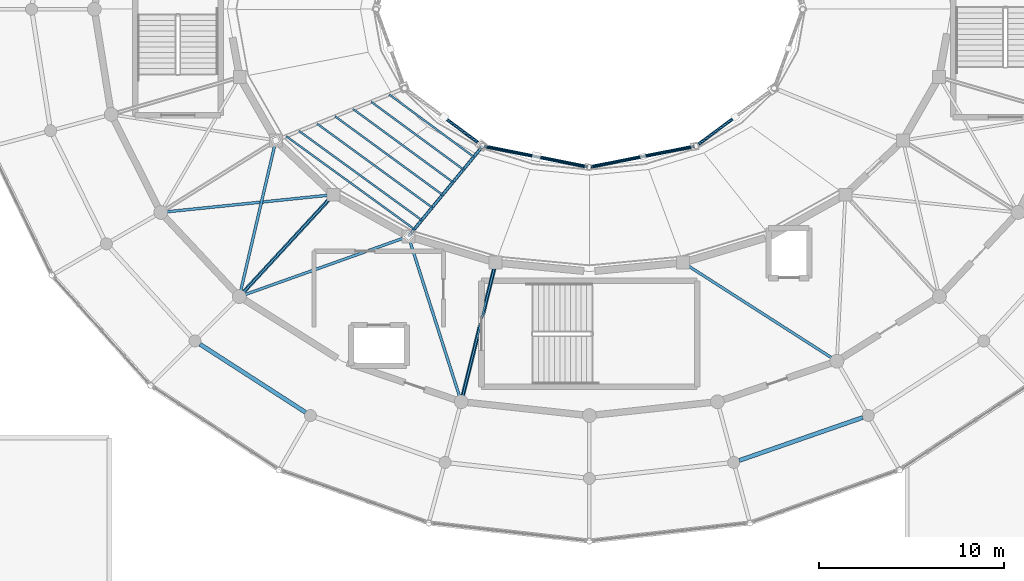
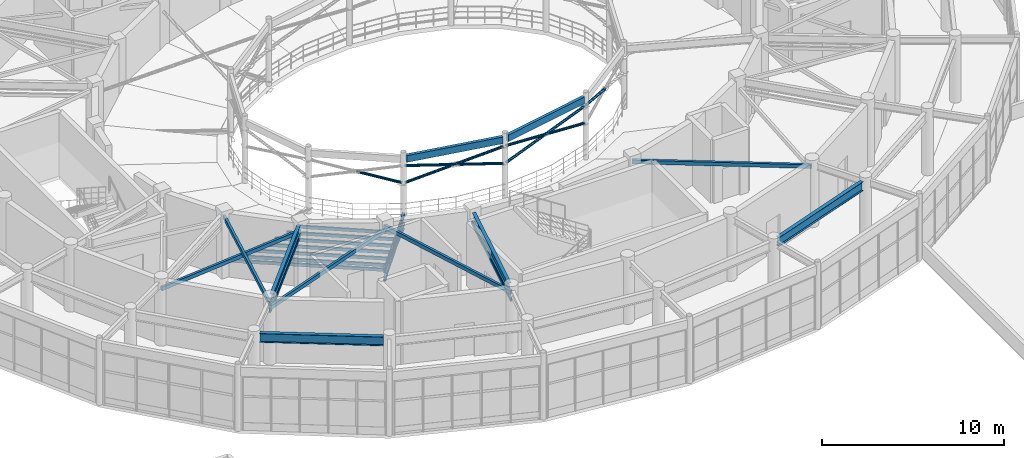
# One storey, part 42 of 112: 25 members, 7 beams.
"""IFC4 building model written with IfcOpenShell, lengths in metres."""

from ifc_helpers import new_model, si_unit, direction, frame, origin, origin_2d, place, context, subcontext, project, spatial, rectangle, hollow_rectangle, hollow_circle, i_section, extrude, material, material_profile, profile_set, type_object, element, save


model = new_model("IFC4")

# Units and contexts
model_context = context("Model", 3, precision=1e-05, world=origin(), true_north=direction((0.0, 1.0)))
body_context = subcontext(model_context, "Body", "Model", "MODEL_VIEW")
ifc_project = project(units=[si_unit("LENGTHUNIT", "METRE"), si_unit("AREAUNIT", "SQUARE_METRE"), si_unit("VOLUMEUNIT", "CUBIC_METRE"), si_unit("PLANEANGLEUNIT", "RADIAN"), si_unit("MASSUNIT", "GRAM", prefix="KILO")], contexts=[model_context])

# Site, building, storey
site_placement = place(None, origin())
site = spatial("IfcSite", under=ifc_project, at=site_placement, CompositionType="ELEMENT")
building_placement = place(site_placement, origin())
building = spatial("IfcBuilding", under=site, at=building_placement, Name="Cinderbank Siding Concert Hall", CompositionType="ELEMENT")
storey_placement = place(building_placement, frame((0.0, 0.0, 10.199951171875)))
storey = spatial("IfcBuildingStorey", under=building, at=storey_placement, Name="L03", CompositionType="ELEMENT", Elevation=10.199951171875)

# Beams
ifc_material_1 = material(Name="Structural steel AS/NZS 3679.1 Grade 350 (340 MPa)", Category="steel")
ifc_material_profile_1 = material_profile(ifc_material_1, i_section(OverallWidth=0.208984375, OverallDepth=0.532958984375, WebThickness=0.01025390625, FlangeThickness=0.015625, at=origin_2d()), Name="530UB92.4", Category="LoadBearing")
ifc_profile_set_1 = profile_set([ifc_material_profile_1], Name="Structural steel AS/NZS 3679.1 Grade 350 (340 MPa)")
beam_type_1 = type_object("IfcBeamType", Name="BM-UB530H 530UB92.4", PredefinedType="BEAM", material=ifc_profile_set_1)
beam_1_placement = place(storey_placement, frame((107.90869140625, 33.707763671875, 3.985595703125), z_axis=(-0.67829203735, -0.734792427879, 0.0), x_axis=(0.734792427879, -0.67829203735, 0.0)))
element("IfcBeam", 1, at=beam_1_placement, inside=storey, type_object=beam_type_1, Name="L03 Beam BM-UB530H #599", PredefinedType="BEAM", context=body_context, shape_type="SweptSolid", body=[
    extrude(i_section(OverallWidth=0.208984375, OverallDepth=0.532958984375, WebThickness=0.01025390625, FlangeThickness=0.015625, at=origin_2d()), origin(), (0.0, 0.0, 1.0), 6.797119140625),
])
beam_2_placement = place(storey_placement, frame((116.844970703125, 29.951904296875, 3.985595703125), z_axis=(-0.240115631411, -0.970744293598, 0.0), x_axis=(0.970744293598, -0.240115631411, 0.0)))
element("IfcBeam", 2, at=beam_2_placement, inside=storey, type_object=beam_type_1, Name="L03 Beam BM-UB530H #600", PredefinedType="BEAM", context=body_context, shape_type="SweptSolid", body=[
    extrude(i_section(OverallWidth=0.208984375, OverallDepth=0.532958984375, WebThickness=0.01025390625, FlangeThickness=0.015625, at=origin_2d()), origin(), (0.0, 0.0, 1.0), 7.05224609375),
])
ifc_material_profile_2 = material_profile(ifc_material_1, i_section(OverallWidth=0.22802734375, OverallDepth=0.60693359375, WebThickness=0.01123046875, FlangeThickness=0.017333984375, at=origin_2d()), Name="610UB113", Category="LoadBearing")
ifc_profile_set_2 = profile_set([ifc_material_profile_2], Name="Structural steel AS/NZS 3679.1 Grade 350 (340 MPa)")
beam_type_2 = type_object("IfcBeamType", Name="BM-UB610M 610UB113", PredefinedType="BEAM", material=ifc_profile_set_2)
beam_3_placement = place(storey_placement, frame((100.91162109375, 25.86767578125, 3.9384765625), z_axis=(0.840219727246, -0.542246078775, 0.0), x_axis=(0.542246078775, 0.840219727246, 0.0)))
element("IfcBeam", 3, at=beam_3_placement, inside=storey, type_object=beam_type_2, Name="L03 Beam BM-UB610M #560", PredefinedType="BEAM", context=body_context, shape_type="SweptSolid", body=[
    extrude(i_section(OverallWidth=0.22802734375, OverallDepth=0.60693359375, WebThickness=0.01123046875, FlangeThickness=0.017333984375, at=origin_2d()), origin(), (0.0, 0.0, 1.0), 6.810302734375),
])
beam_4_placement = place(storey_placement, frame((130.11572265625, 19.56982421875, 3.9384765625), z_axis=(0.944334299593, 0.328987432301, 0.0), x_axis=(-0.328987432301, 0.944334299593, 0.0)))
element("IfcBeam", 4, at=beam_4_placement, inside=storey, type_object=beam_type_2, Name="L03 Beam BM-UB610M #564", PredefinedType="BEAM", context=body_context, shape_type="SweptSolid", body=[
    extrude(i_section(OverallWidth=0.22802734375, OverallDepth=0.60693359375, WebThickness=0.01123046875, FlangeThickness=0.017333984375, at=origin_2d()), origin(), (0.0, 0.0, 1.0), 7.078857421875),
])

# Members
ifc_material_2 = material(Name="Structural steel hollow section AS/NZS 1163 Grade C350L0 (350 MPa)", Category="steel")
ifc_material_profile_3 = material_profile(ifc_material_2, hollow_circle(Radius=0.084228515625, WallThickness=0.007080078125, at=origin_2d()), Name="168.3x7.1CHS", Category="LoadBearing")
ifc_profile_set_3 = profile_set([ifc_material_profile_3], Name="Structural steel hollow section AS/NZS 1163 Grade C350L0 (350 MPa)")
member_type_1 = type_object("IfcMemberType", Name="BR-CHS168 168.3x7.1CHS Roof Truss", PredefinedType="BRACE", material=ifc_profile_set_3)
member_1_placement = place(storey_placement, frame((116.22509765625, 36.595458984375, 0.300048828125), z_axis=(-0.631768152068, -0.767992800615, 0.10514780186), x_axis=(0.772273819235, -0.635289814277, 0.0)))
element("IfcMember", 5, at=member_1_placement, inside=storey, type_object=member_type_1, Name="L03 Diagonal Brace BR-CHS168 #RKDG-BR-CHS168-L03-1954", PredefinedType="BRACE", context=body_context, shape_type="SweptSolid", body=[
    extrude(hollow_circle(Radius=0.084228515625, WallThickness=0.007080078125, at=origin_2d()), origin(), (0.0, 0.0, 1.0), 6.371337890625),
])
member_2_placement = place(storey_placement, frame((112.199951171875, 31.702392578125, 0.300048828125), z_axis=(0.632173529582, 0.768485587425, -0.0989268943), x_axis=(-0.772273819235, 0.635289814277, 0.0)))
element("IfcMember", 6, at=member_2_placement, inside=storey, type_object=member_type_1, Name="L03 Diagonal Brace BR-CHS168 #RKDG-BR-CHS168-L03-1955", PredefinedType="BRACE", context=body_context, shape_type="SweptSolid", body=[
    extrude(hollow_circle(Radius=0.084228515625, WallThickness=0.007080078125, at=origin_2d()), origin(), (0.0, 0.0, 1.0), 6.3671875),
])
member_3_placement = place(storey_placement, frame((116.16064453125, 36.64306640625, 2.400146484375), z_axis=(-0.784352777564, 0.580699234671, 0.218126383504), x_axis=(-0.595027173666, -0.803705582038, 0.0)))
element("IfcMember", 7, at=member_3_placement, inside=storey, type_object=member_type_1, Name="L03 Diagonal Brace BR-CHS168 #RKCR-BR-CHS168-L03-2089", PredefinedType="BRACE", context=body_context, shape_type="SweptSolid", body=[
    extrude(hollow_circle(Radius=0.084228515625, WallThickness=0.007080078125, at=origin_2d()), origin(), (0.0, 0.0, 1.0), 2.597900390625),
])
member_4_placement = place(storey_placement, frame((116.303466796875, 36.579833984375, 2.400146484375), z_axis=(0.962024071577, -0.190807781612, 0.195197531189), x_axis=(0.194550158365, 0.980892571019, 0.0)))
element("IfcMember", 8, at=member_4_placement, inside=storey, type_object=member_type_1, Name="L03 Diagonal Brace BR-CHS168 #RKCR-BR-CHS168-L03-2090", PredefinedType="BRACE", context=body_context, shape_type="SweptSolid", body=[
    extrude(hollow_circle(Radius=0.084228515625, WallThickness=0.007080078125, at=origin_2d()), origin(), (0.0, 0.0, 1.0), 5.839599609375),
])
member_5_placement = place(storey_placement, frame((121.92138671875, 35.465576171875, 2.400146484375), z_axis=(-0.962018451096, 0.1908740086, 0.195160479071), x_axis=(-0.194616221116, -0.980879465826, 0.0)))
element("IfcMember", 9, at=member_5_placement, inside=storey, type_object=member_type_1, Name="L03 Diagonal Brace BR-CHS168 #RKCR-BR-CHS168-L03-2091", PredefinedType="BRACE", context=body_context, shape_type="SweptSolid", body=[
    extrude(hollow_circle(Radius=0.084228515625, WallThickness=0.007080078125, at=origin_2d()), origin(), (0.0, 0.0, 1.0), 2.90478515625),
])
member_6_placement = place(storey_placement, frame((119.09814453125, 36.025634765625, 2.972900390625), z_axis=(-0.96202436034, 0.190774464748, 0.195228670313), x_axis=(-0.194517417313, -0.980899064309, 0.0)))
element("IfcMember", 10, at=member_6_placement, inside=storey, type_object=member_type_1, Name="L03 Diagonal Brace BR-CHS168 #RKCR-BR-CHS168-L03-2091-S199", PredefinedType="BRACE", context=body_context, shape_type="SweptSolid", body=[
    extrude(hollow_circle(Radius=0.084228515625, WallThickness=0.007080078125, at=origin_2d()), origin(), (0.0, 0.0, 1.0), 2.905029296875),
])
member_7_placement = place(storey_placement, frame((122.07861328125, 35.465576171875, 2.400146484375), z_axis=(0.962024071577, 0.190807781612, 0.195197531189), x_axis=(-0.194550158365, 0.980892571019, 0.0)))
element("IfcMember", 11, at=member_7_placement, inside=storey, type_object=member_type_1, Name="L03 Diagonal Brace BR-CHS168 #RKCR-BR-CHS168-L03-2092", PredefinedType="BRACE", context=body_context, shape_type="SweptSolid", body=[
    extrude(hollow_circle(Radius=0.084228515625, WallThickness=0.007080078125, at=origin_2d()), origin(), (0.0, 0.0, 1.0), 5.839599609375),
])
member_8_placement = place(storey_placement, frame((127.696533203125, 36.579833984375, 2.400146484375), z_axis=(-0.962040141585, -0.190777594252, 0.195147829891), x_axis=(0.194517417313, -0.980899064309, 0.0)))
element("IfcMember", 12, at=member_8_placement, inside=storey, type_object=member_type_1, Name="L03 Diagonal Brace BR-CHS168 #RKCR-BR-CHS168-L03-2093", PredefinedType="BRACE", context=body_context, shape_type="SweptSolid", body=[
    extrude(hollow_circle(Radius=0.084228515625, WallThickness=0.007080078125, at=origin_2d()), origin(), (0.0, 0.0, 1.0), 2.905029296875),
])
member_9_placement = place(storey_placement, frame((124.873046875, 36.02001953125, 2.972900390625), z_axis=(-0.962002668162, -0.190870877109, 0.195241324318), x_axis=(0.194616221116, -0.980879465826, 0.0)))
element("IfcMember", 13, at=member_9_placement, inside=storey, type_object=member_type_1, Name="L03 Diagonal Brace BR-CHS168 #RKCR-BR-CHS168-L03-2093-S200", PredefinedType="BRACE", context=body_context, shape_type="SweptSolid", body=[
    extrude(hollow_circle(Radius=0.084228515625, WallThickness=0.007080078125, at=origin_2d()), origin(), (0.0, 0.0, 1.0), 2.90478515625),
])
member_10_placement = place(storey_placement, frame((129.876953125, 38.151611328125, 2.973388671875), z_axis=(-0.784352777564, -0.580699234671, 0.218126383504), x_axis=(0.595027173666, -0.803705582038, 0.0)))
element("IfcMember", 14, at=member_10_placement, inside=storey, type_object=member_type_1, Name="L03 Diagonal Brace BR-CHS168 #RKCR-BR-CHS168-L03-2095-S201", PredefinedType="BRACE", context=body_context, shape_type="SweptSolid", body=[
    extrude(hollow_circle(Radius=0.084228515625, WallThickness=0.007080078125, at=origin_2d()), origin(), (0.0, 0.0, 1.0), 2.597900390625),
])

# Beam
ifc_material_profile_4 = material_profile(ifc_material_1, i_section(OverallWidth=0.172119140625, OverallDepth=0.358642578125, WebThickness=0.008056640625, FlangeThickness=0.012939453125, at=origin_2d()), Name="360UB56.7", Category="LoadBearing")
ifc_profile_set_4 = profile_set([ifc_material_profile_4], Name="Structural steel AS/NZS 3679.1 Grade 350 (340 MPa)")
beam_type_3 = type_object("IfcBeamType", Name="JS-UB360H 360UB56.7", PredefinedType="JOIST", material=ifc_profile_set_4)
beam_5_placement = place(storey_placement, frame((116.193115234375, 36.556884765625, -0.414306640625), z_axis=(-0.621894107482, -0.756038651805, 0.204091342434), x_axis=(0.772294012286, -0.635265266316, 0.0)))
element("IfcBeam", 15, at=beam_5_placement, inside=storey, type_object=beam_type_3, Name="L03 Beam JS-UB360H #107", PredefinedType="JOIST", context=body_context, shape_type="SweptSolid", body=[
    extrude(i_section(OverallWidth=0.172119140625, OverallDepth=0.358642578125, WebThickness=0.008056640625, FlangeThickness=0.012939453125, at=origin_2d()), origin(), (0.0, 0.0, 1.0), 6.369873046875),
])

# Members
ifc_material_profile_5 = material_profile(ifc_material_2, hollow_rectangle(XDim=0.10009765625, YDim=0.199951171875, WallThickness=0.008056640625, at=origin_2d()), Name="200x100x8.0RHS", Category="LoadBearing")
ifc_profile_set_5 = profile_set([ifc_material_profile_5], Name="Structural steel hollow section AS/NZS 1163 Grade C350L0 (350 MPa)")
member_type_2 = type_object("IfcMemberType", Name="PR-RHS200 200x100x8.0RHS Roof Truss", PredefinedType="PURLIN", material=ifc_profile_set_5)
member_11_placement = place(storey_placement, frame((111.160888671875, 39.385986328125, -0.44384765625), z_axis=(0.804873593743, -0.593446289141, 0.0), x_axis=(0.593446289141, 0.804873593743, 0.0)))
element("IfcMember", 16, at=member_11_placement, inside=storey, type_object=member_type_2, Name="L03 Roof Truss Member PR-RHS200 #1991", PredefinedType="PURLIN", context=body_context, shape_type="SweptSolid", body=[
    extrude(hollow_rectangle(XDim=0.10009765625, YDim=0.199951171875, WallThickness=0.008056640625, at=origin_2d()), origin(), (0.0, 0.0, 1.0), 5.691650390625),
])
member_12_placement = place(storey_placement, frame((110.184814453125, 38.990478515625, -0.261962890625), z_axis=(0.806002667019, -0.591911902869, 0.0), x_axis=(0.591911902869, 0.806002667019, 0.0)))
element("IfcMember", 17, at=member_12_placement, inside=storey, type_object=member_type_2, Name="L03 Roof Truss Member PR-RHS200 #1992", PredefinedType="PURLIN", context=body_context, shape_type="SweptSolid", body=[
    extrude(hollow_rectangle(XDim=0.10009765625, YDim=0.199951171875, WallThickness=0.008056640625, at=origin_2d()), origin(), (0.0, 0.0, 1.0), 6.195556640625),
])
member_13_placement = place(storey_placement, frame((109.208740234375, 38.594970703125, -0.079833984375), z_axis=(0.806959583064, -0.590606663779, 0.0), x_axis=(0.590606663779, 0.806959583064, 0.0)))
element("IfcMember", 18, at=member_13_placement, inside=storey, type_object=member_type_2, Name="L03 Roof Truss Member PR-RHS200 #1993", PredefinedType="PURLIN", context=body_context, shape_type="SweptSolid", body=[
    extrude(hollow_rectangle(XDim=0.10009765625, YDim=0.199951171875, WallThickness=0.008056640625, at=origin_2d()), origin(), (0.0, 0.0, 1.0), 6.699462890625),
])
member_14_placement = place(storey_placement, frame((108.23291015625, 38.199462890625, 0.10205078125), z_axis=(0.807769138252, -0.589498956137, 0.0), x_axis=(0.589498956137, 0.807769138252, 0.0)))
element("IfcMember", 19, at=member_14_placement, inside=storey, type_object=member_type_2, Name="L03 Roof Truss Member PR-RHS200 #1994", PredefinedType="PURLIN", context=body_context, shape_type="SweptSolid", body=[
    extrude(hollow_rectangle(XDim=0.10009765625, YDim=0.199951171875, WallThickness=0.008056640625, at=origin_2d()), origin(), (0.0, 0.0, 1.0), 7.203369140625),
])
member_15_placement = place(storey_placement, frame((107.2568359375, 37.803955078125, 0.283935546875), z_axis=(0.808497668227, -0.588499380179, 0.0), x_axis=(0.588499380179, 0.808497668227, 0.0)))
element("IfcMember", 20, at=member_15_placement, inside=storey, type_object=member_type_2, Name="L03 Roof Truss Member PR-RHS200 #1995", PredefinedType="PURLIN", context=body_context, shape_type="SweptSolid", body=[
    extrude(hollow_rectangle(XDim=0.10009765625, YDim=0.199951171875, WallThickness=0.008056640625, at=origin_2d()), origin(), (0.0, 0.0, 1.0), 7.70703125),
])
member_16_placement = place(storey_placement, frame((106.28076171875, 37.408447265625, 0.466064453125), z_axis=(0.80912163461, -0.587641200398, 0.0), x_axis=(0.587641200398, 0.80912163461, 0.0)))
element("IfcMember", 21, at=member_16_placement, inside=storey, type_object=member_type_2, Name="L03 Roof Truss Member PR-RHS200 #1996", PredefinedType="PURLIN", context=body_context, shape_type="SweptSolid", body=[
    extrude(hollow_rectangle(XDim=0.10009765625, YDim=0.199951171875, WallThickness=0.008056640625, at=origin_2d()), origin(), (0.0, 0.0, 1.0), 8.211181640625),
])
member_17_placement = place(storey_placement, frame((105.58349609375, 37.1259765625, 0.595947265625), z_axis=(0.809508911887, -0.587107589438, 0.0), x_axis=(0.587107589438, 0.809508911887, 0.0)))
element("IfcMember", 22, at=member_17_placement, inside=storey, type_object=member_type_2, Name="L03 Roof Truss Member PR-RHS200 #1997", PredefinedType="PURLIN", context=body_context, shape_type="SweptSolid", body=[
    extrude(hollow_rectangle(XDim=0.10009765625, YDim=0.199951171875, WallThickness=0.008056640625, at=origin_2d()), origin(), (0.0, 0.0, 1.0), 8.5712890625),
])
member_18_placement = place(storey_placement, frame((108.140625, 33.958984375, 3.340087890625), z_axis=(-0.678276049894, -0.734807185689, 0.0), x_axis=(0.734807185689, -0.678276049894, 0.0)))
element("IfcMember", 23, at=member_18_placement, inside=storey, type_object=member_type_2, Name="L03 Roof Truss Member PR-RHS200 #2258", PredefinedType="PURLIN", context=body_context, shape_type="SweptSolid", body=[
    extrude(hollow_rectangle(XDim=0.10009765625, YDim=0.199951171875, WallThickness=0.008056640625, at=origin_2d()), origin(), (0.0, 0.0, 1.0), 7.505859375),
])
member_19_placement = place(storey_placement, frame((116.927001953125, 30.283935546875, 3.340087890625), z_axis=(-0.240070192761, -0.970755531814, 0.0), x_axis=(0.970755531814, -0.240070192761, 0.0)))
element("IfcMember", 24, at=member_19_placement, inside=storey, type_object=member_type_2, Name="L03 Roof Truss Member PR-RHS200 #2260", PredefinedType="PURLIN", context=body_context, shape_type="SweptSolid", body=[
    extrude(hollow_rectangle(XDim=0.10009765625, YDim=0.199951171875, WallThickness=0.008056640625, at=origin_2d()), origin(), (0.0, 0.0, 1.0), 7.761474609375),
])

# Beams
ifc_material_3 = material(Name="Spotted gum glulam timber GL18 (42 MPa)", Category="wood")
ifc_material_profile_6 = material_profile(ifc_material_3, rectangle(XDim=0.18994140625, YDim=0.449951171875, at=origin_2d()), Name="GL18-190x450", Category="LoadBearing")
ifc_profile_set_6 = profile_set([ifc_material_profile_6], Name="Spotted gum glulam timber GL18 (42 MPa)")
beam_type_4 = type_object("IfcBeamType", Name="SP-GL450 GL18-190x450", PredefinedType="SPANDREL", material=ifc_profile_set_6)
for number, where, z_axis, x_axis, name in (
    (25, (116.3759765625, 36.5654296875, 4.01708984375), (0.980895780778, -0.194533974545, 0.0), (0.194533974545, 0.980895780778, 0.0), "L03 Beam SP-GL450 #185"),
    (26, (122.15087890625, 35.47998046875, 4.01708984375), (0.980895780778, 0.194533974545, 0.0), (-0.194533974545, 0.980895780778, 0.0), "L03 Beam SP-GL450 #186"),
):
    element("IfcBeam", number, at=place(storey_placement, frame(where, z_axis=z_axis, x_axis=x_axis)), inside=storey, type_object=beam_type_4, Name=name, PredefinedType="SPANDREL", context=body_context, shape_type="SweptSolid", body=[
        extrude(rectangle(XDim=0.18994140625, YDim=0.449951171875, at=origin_2d()), origin(), (0.0, 0.0, 1.0), 5.579833984375),
    ])

# Members
ifc_material_profile_7 = material_profile(ifc_material_2, hollow_rectangle(XDim=0.14990234375, YDim=0.25, WallThickness=0.009033203125, at=origin_2d()), Name="250x150x9.0RHS", Category="LoadBearing")
ifc_profile_set_7 = profile_set([ifc_material_profile_7], Name="Structural steel hollow section AS/NZS 1163 Grade C350L0 (350 MPa)")
member_type_3 = type_object("IfcMemberType", Name="TR-RHS250 250x150x9.0RHS Roof Truss", PredefinedType="RAFTER", material=ifc_profile_set_7)
member_20_placement = place(storey_placement, frame((116.22509765625, 36.595458984375, 0.300048828125), z_axis=(-0.635289814277, -0.772273819235, 0.0), x_axis=(0.772273819235, -0.635289814277, 0.0)))
element("IfcMember", 27, at=member_20_placement, inside=storey, type_object=member_type_3, Name="L03 Roof Truss Member TR-RHS250 #1953", PredefinedType="RAFTER", context=body_context, shape_type="SweptSolid", body=[
    extrude(hollow_rectangle(XDim=0.14990234375, YDim=0.25, WallThickness=0.009033203125, at=origin_2d()), origin(), (0.0, 0.0, 1.0), 6.3359375),
])
member_21_placement = place(storey_placement, frame((105.02587890625, 36.89990234375, 3.880126953125), z_axis=(-0.227577092084, -0.973760066525, 0.0), x_axis=(0.973760066525, -0.227577092084, 0.0)))
element("IfcMember", 28, at=member_21_placement, inside=storey, type_object=member_type_3, Name="L03 Roof Truss Member TR-RHS250 #2254", PredefinedType="RAFTER", context=body_context, shape_type="SweptSolid", body=[
    extrude(hollow_rectangle(XDim=0.14990234375, YDim=0.25, WallThickness=0.009033203125, at=origin_2d()), origin(), (0.0, 0.0, 1.0), 8.68408203125),
])
member_22_placement = place(storey_placement, frame((108.140625, 33.958984375, 3.60009765625), z_axis=(-0.994781438611, -0.102028865499, 0.0), x_axis=(0.102028865499, -0.994781438611, 0.0)))
element("IfcMember", 29, at=member_22_placement, inside=storey, type_object=member_type_3, Name="L03 Roof Truss Member TR-RHS250 #2255", PredefinedType="RAFTER", context=body_context, shape_type="SweptSolid", body=[
    extrude(hollow_rectangle(XDim=0.14990234375, YDim=0.25, WallThickness=0.009033203125, at=origin_2d()), origin(), (0.0, 0.0, 1.0), 9.399169921875),
])
member_23_placement = place(storey_placement, frame((112.199951171875, 31.702392578125, 3.60009765625), z_axis=(-0.942041785809, -0.335495564487, 0.0), x_axis=(0.335495564487, -0.942041785809, 0.0)))
element("IfcMember", 30, at=member_23_placement, inside=storey, type_object=member_type_3, Name="L03 Roof Truss Member TR-RHS250 #2257", PredefinedType="RAFTER", context=body_context, shape_type="SweptSolid", body=[
    extrude(hollow_rectangle(XDim=0.14990234375, YDim=0.25, WallThickness=0.009033203125, at=origin_2d()), origin(), (0.0, 0.0, 1.0), 9.71337890625),
])
member_24_placement = place(storey_placement, frame((112.199951171875, 31.702392578125, 3.880126953125), z_axis=(0.304664519425, -0.952459726499, 0.0), x_axis=(0.952459726499, 0.304664519425, 0.0)))
element("IfcMember", 31, at=member_24_placement, inside=storey, type_object=member_type_3, Name="L03 Roof Truss Member TR-RHS250 #2259", PredefinedType="RAFTER", context=body_context, shape_type="SweptSolid", body=[
    extrude(hollow_rectangle(XDim=0.14990234375, YDim=0.25, WallThickness=0.009033203125, at=origin_2d()), origin(), (0.0, 0.0, 1.0), 9.399658203125),
])
member_25_placement = place(storey_placement, frame((127.072998046875, 30.283935546875, 3.880126953125), z_axis=(0.841940386591, -0.539570556487, 0.0), x_axis=(0.539570556487, 0.841940386591, 0.0)))
element("IfcMember", 32, at=member_25_placement, inside=storey, type_object=member_type_3, Name="L03 Roof Truss Member TR-RHS250 #2261", PredefinedType="RAFTER", context=body_context, shape_type="SweptSolid", body=[
    extrude(hollow_rectangle(XDim=0.14990234375, YDim=0.25, WallThickness=0.009033203125, at=origin_2d()), origin(), (0.0, 0.0, 1.0), 9.89013671875),
])

save(model, "model.ifc")
